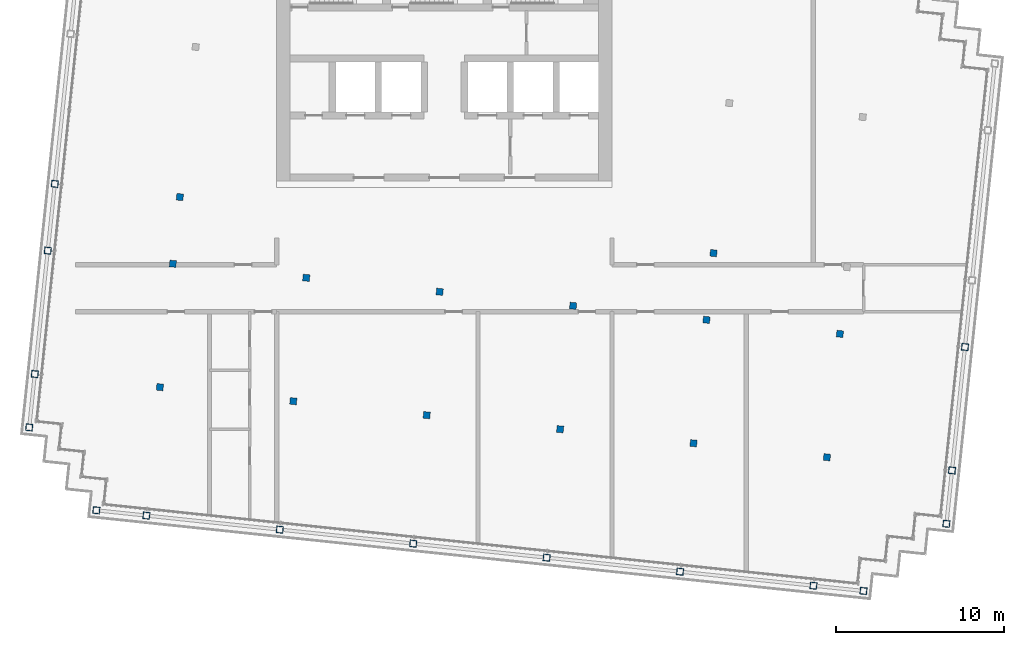
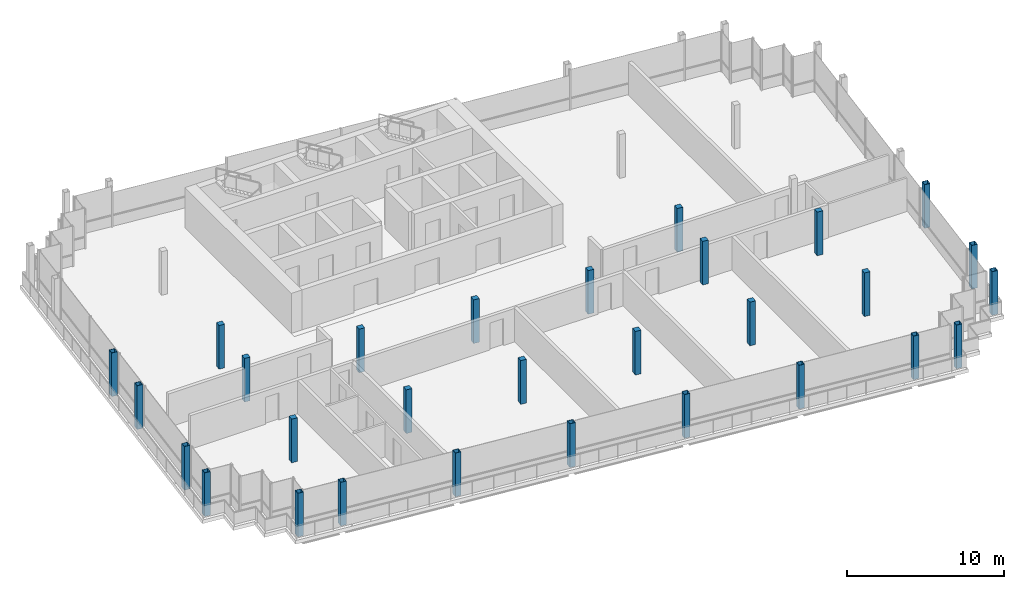
# One storey, part 1 of 15: 29 columns.
"""IFC4 building model written with IfcOpenShell, lengths in metres."""

from ifc_helpers import new_model, si_unit, direction, frame, origin, origin_2d, place, context, subcontext, project, spatial, rectangle, hollow_rectangle, extrude, material, material_profile, profile_set, type_object, element, save


model = new_model("IFC4")

# Units and contexts
model_context = context("Model", 3, precision=1e-05, world=origin(), true_north=direction((0.0, 1.0)))
body_context = subcontext(model_context, "Body", "Model", "MODEL_VIEW")
ifc_project = project(units=[si_unit("LENGTHUNIT", "METRE"), si_unit("AREAUNIT", "SQUARE_METRE"), si_unit("VOLUMEUNIT", "CUBIC_METRE"), si_unit("PLANEANGLEUNIT", "RADIAN"), si_unit("MASSUNIT", "GRAM", prefix="KILO")], contexts=[model_context])

# Site, building, storey
site_placement = place(None, origin())
site = spatial("IfcSite", under=ifc_project, at=site_placement, CompositionType="ELEMENT")
building_placement = place(site_placement, origin())
building = spatial("IfcBuilding", under=site, at=building_placement, Name="Vidyagriha Tower", CompositionType="ELEMENT")
storey_placement = place(building_placement, frame((0.0, 0.0, 291.5)))
storey = spatial("IfcBuildingStorey", under=building, at=storey_placement, Name="L75", CompositionType="ELEMENT", Elevation=291.5)

# Columns
ifc_material_1 = material(Name="Steel ASTM A572 Grade 50", Category="steel")
ifc_material_profile_1 = material_profile(ifc_material_1, hollow_rectangle(XDim=0.39990234375, YDim=0.39990234375, WallThickness=0.02001953125, at=origin_2d()), Name="BOX 400x400x20")
ifc_profile_set_1 = profile_set([ifc_material_profile_1], Name="Steel ASTM A572 Grade 50")
column_type_1 = type_object("IfcColumnType", Name="Exoskeleton column BOX 400x400x20", PredefinedType="COLUMN", material=ifc_profile_set_1)
for number, where, z_axis, x_axis, name in (
    (1, (-20.751953125, -13.24267578125, 0.0), (0.0, 0.0, 1.0), (0.994521895368, -0.104528463268, 0.0), "st-col-L75-B6-001"),
    (2, (-17.768310546875, -13.55615234375, 0.0), (0.0, 0.0, 1.0), (0.994521895368, -0.104528463268, 0.0), "st-col-L75-B6-002"),
    (3, (-9.812255859375, -14.392333984375, 0.0), (0.0, 0.0, 1.0), (0.994521895368, -0.104528463268, 0.0), "st-col-L75-B6-003"),
    (4, (-1.856201171875, -15.228515625, 0.0), (0.0, 0.0, 1.0), (0.994521895368, -0.104528463268, 0.0), "st-col-L75-B6-004"),
    (5, (6.10009765625, -16.06494140625, 0.0), (0.0, 0.0, 1.0), (0.994521895368, -0.104528463268, 0.0), "st-col-L75-B6-005"),
    (6, (14.056396484375, -16.901123046875, 0.0), (0.0, 0.0, 1.0), (0.994521895368, -0.104528463268, 0.0), "st-col-L75-B6-006"),
    (7, (22.012451171875, -17.7373046875, 0.0), (0.0, 0.0, 1.0), (0.994521895368, -0.104528463268, 0.0), "st-col-L75-B6-007"),
    (8, (24.99609375, -18.05078125, 0.0), (0.0, 0.0, 1.0), (0.994521895368, -0.104528463268, 0.0), "st-col-L75-B6-008"),
    (9, (-24.757080078125, -8.296875, 0.0), (0.0, 0.0, 1.0), (0.994521895368, -0.104528463268, 0.0), "st-col-L75-B6-009"),
    (10, (29.941650390625, -14.0458984375, 0.0), (0.0, 0.0, 1.0), (0.994521895368, -0.104528463268, 0.0), "st-col-L75-B6-010"),
    (11, (-24.422607421875, -5.114501953125, 0.0), (0.0, 0.0, 1.0), (0.994521895368, -0.104528463268, 0.0), "st-col-L75-B6-011"),
    (12, (30.276123046875, -10.863525390625, 0.0), (0.0, 0.0, 1.0), (0.994521895368, -0.104528463268, 0.0), "st-col-L75-B6-018"),
    (13, (-23.64892578125, 2.2451171875, 0.0), (0.0, 0.0, 1.0), (0.994521895368, -0.104528463268, 0.0), "st-col-L75-B6-019"),
    (14, (31.0498046875, -3.50390625, 0.0), (0.0, 0.0, 1.0), (0.994521895368, -0.104528463268, 0.0), "st-col-L75-B6-026"),
    (15, (-23.23095703125, 6.22314453125, 0.0), (0.0, 0.0, 1.0), (0.994521895368, -0.104528463268, 0.0), "st-col-L75-B6-027"),
):
    element("IfcColumn", number, at=place(storey_placement, frame(where, z_axis=z_axis, x_axis=x_axis)), inside=storey, type_object=column_type_1, Name=name, PredefinedType="COLUMN", context=body_context, shape_type="SweptSolid", body=[
        extrude(hollow_rectangle(XDim=0.39990234375, YDim=0.39990234375, WallThickness=0.02001953125, at=origin_2d()), origin(), (0.0, 0.0, 1.0), 3.39990234375),
    ])
ifc_material_2 = material(Name="Concrete C60/75", Category="concrete")
ifc_material_profile_2 = material_profile(ifc_material_2, rectangle(XDim=0.39990234375, YDim=0.39990234375, at=origin_2d()), Name="RC 400x400")
ifc_profile_set_2 = profile_set([ifc_material_profile_2], Name="Concrete C60/75")
column_type_2 = type_object("IfcColumnType", Name="Frame column RC 400x400", PredefinedType="COLUMN", material=ifc_profile_set_2)
for number, where, z_axis, x_axis, name in (
    (16, (-16.963623046875, -5.8984375, 0.0), (0.0, 0.0, 1.0), (0.994521895368, -0.104528463268, 0.0), "st-col-L75-B6-012"),
    (17, (-9.00732421875, -6.734619140625, 0.0), (0.0, 0.0, 1.0), (0.994521895368, -0.104528463268, 0.0), "st-col-L75-B6-013"),
    (18, (-1.05126953125, -7.57080078125, 0.0), (0.0, 0.0, 1.0), (0.994521895368, -0.104528463268, 0.0), "st-col-L75-B6-014"),
    (19, (6.905029296875, -8.406982421875, 0.0), (0.0, 0.0, 1.0), (0.994521895368, -0.104528463268, 0.0), "st-col-L75-B6-015"),
    (20, (14.861083984375, -9.243408203125, 0.0), (0.0, 0.0, 1.0), (0.994521895368, -0.104528463268, 0.0), "st-col-L75-B6-016"),
    (21, (22.8173828125, -10.07958984375, 0.0), (0.0, 0.0, 1.0), (0.994521895368, -0.104528463268, 0.0), "st-col-L75-B6-017"),
    (22, (-16.190185546875, 1.461181640625, 0.0), (0.0, 0.0, 1.0), (0.994521895368, -0.104528463268, 0.0), "st-col-L75-B6-020"),
    (23, (-8.23388671875, 0.625, 0.0), (0.0, 0.0, 1.0), (0.994521895368, -0.104528463268, 0.0), "st-col-L75-B6-021"),
    (24, (-0.277587890625, -0.21142578125, 0.0), (0.0, 0.0, 1.0), (0.994521895368, -0.104528463268, 0.0), "st-col-L75-B6-022"),
    (25, (7.678466796875, -1.047607421875, 0.0), (0.0, 0.0, 1.0), (0.994521895368, -0.104528463268, 0.0), "st-col-L75-B6-023"),
    (26, (15.634521484375, -1.8837890625, 0.0), (0.0, 0.0, 1.0), (0.994521895368, -0.104528463268, 0.0), "st-col-L75-B6-024"),
    (27, (23.5908203125, -2.72021484375, 0.0), (0.0, 0.0, 1.0), (0.994521895368, -0.104528463268, 0.0), "st-col-L75-B6-025"),
    (28, (-15.77197265625, 5.439208984375, 0.0), (0.0, 0.0, 1.0), (0.994521895368, -0.104528463268, 0.0), "st-col-L75-B6-028"),
    (29, (16.052734375, 2.09423828125, 0.0), (0.0, 0.0, 1.0), (0.994521895368, -0.104528463268, 0.0), "st-col-L75-B6-029"),
):
    element("IfcColumn", number, at=place(storey_placement, frame(where, z_axis=z_axis, x_axis=x_axis)), inside=storey, type_object=column_type_2, Name=name, PredefinedType="COLUMN", context=body_context, shape_type="SweptSolid", body=[
        extrude(rectangle(XDim=0.39990234375, YDim=0.39990234375, at=origin_2d()), origin(), (0.0, 0.0, 1.0), 3.39990234375),
    ])

save(model, "model.ifc")
